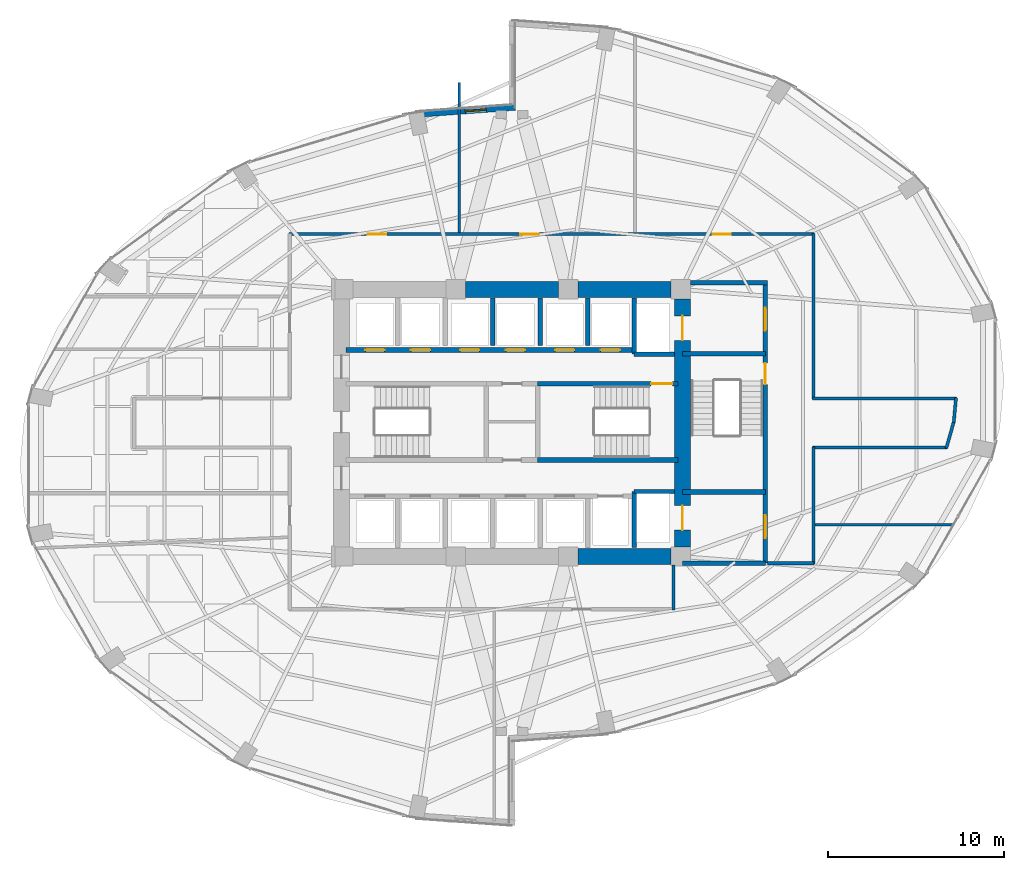
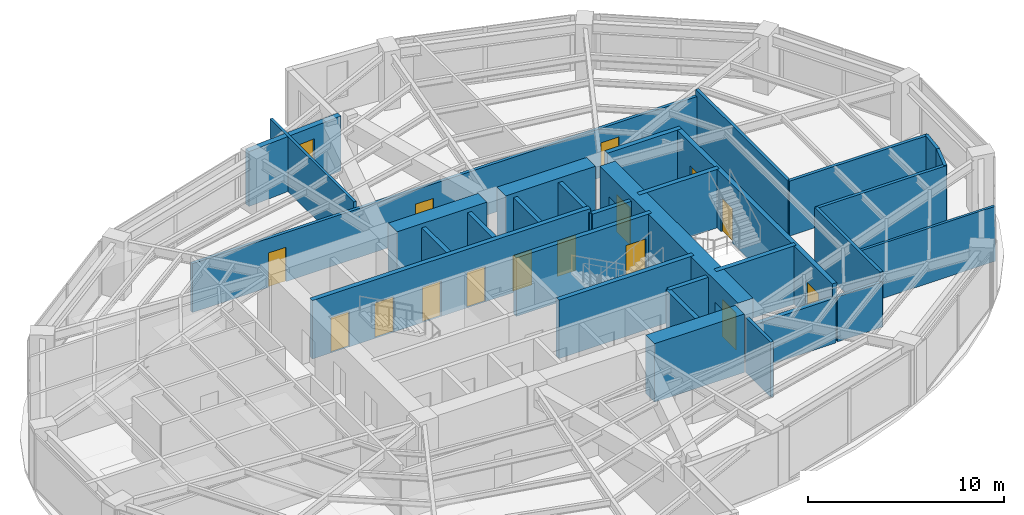
# One storey, part 21 of 24: 31 walls, 15 doors, 1 window, 16 openings.
"""IFC4 building model written with IfcOpenShell, lengths in metres."""

from ifc_helpers import new_model, si_unit, direction, frame, frame_2d, origin, place, context, subcontext, project, spatial, rectangle, extrude, material, layer, layer_set, type_object, element, fill, save


model = new_model("IFC4")

# Units and contexts
model_context = context("Model", 3, precision=1e-05, world=origin(), true_north=direction((0.0, 1.0)))
body_context = subcontext(model_context, "Body", "Model", "MODEL_VIEW")
ifc_project = project(units=[si_unit("LENGTHUNIT", "METRE"), si_unit("AREAUNIT", "SQUARE_METRE"), si_unit("VOLUMEUNIT", "CUBIC_METRE"), si_unit("PLANEANGLEUNIT", "RADIAN"), si_unit("MASSUNIT", "GRAM", prefix="KILO")], contexts=[model_context])

# Site, building, storey
site_placement = place(None, origin())
site = spatial("IfcSite", under=ifc_project, at=site_placement, CompositionType="ELEMENT")
building_placement = place(site_placement, origin())
building = spatial("IfcBuilding", under=site, at=building_placement, Name="Lazwardi Medical Tower", CompositionType="ELEMENT")
storey_placement = place(building_placement, frame((0.0, 0.0, 36.14404296875)))
storey = spatial("IfcBuildingStorey", under=building, at=storey_placement, Name="L08", CompositionType="ELEMENT", Elevation=36.14404296875)

# Wall, openings, doors
ifc_material_1 = material(Name="Fire-rated gypsum board on steel stud", Category="steel")
ifc_layer_1 = layer(ifc_material_1, 0.179931640625)
ifc_layer_set_1 = layer_set([ifc_layer_1], Name="Fire-rated gypsum board on steel stud")
wall_type_1 = type_object("IfcWallType", Name="WL-COR-180", PredefinedType="PARTITIONING", material=ifc_layer_set_1)
wall_1_placement = place(storey_placement, frame((23.31005859375, 38.75, 0.0), z_axis=(0.0, 0.0, 1.0), x_axis=(1.0, 0.0, 0.0)))
wall_1 = element("IfcWall", 1, at=wall_1_placement, inside=storey, type_object=wall_type_1, Name="L08 Corridor partition 4", PredefinedType="PARTITIONING", context=body_context, shape_type="SweptSolid", body=[
    extrude(rectangle(XDim=29.8798828125, YDim=0.179931640625, at=frame_2d((14.93994140625, 0.0))), origin(), (0.0, 0.0, 1.0), 3.052978515625),
])
opening_1_placement = place(wall_1_placement, frame((24.10107421875, 0.0, 0.0)))
opening_1 = element("IfcOpeningElement", 2, at=opening_1_placement, cuts=wall_1, Name="Opening D-L08-010", PredefinedType="OPENING", context=body_context, shape_type="SweptSolid", body=[
    extrude(rectangle(XDim=1.050048828125, YDim=2.14990234375, at=frame_2d((0.52490234375, 1.074951171875))), frame((0.0, 0.099853515625, 0.0), z_axis=(0.0, -1.0, 0.0), x_axis=(1.0, 0.0, 0.0)), (0.0, 0.0, 1.0), 0.199951171875),
])
opening_2_placement = place(wall_1_placement, frame((13.1650390625, 0.0, 0.0)))
opening_2 = element("IfcOpeningElement", 3, at=opening_2_placement, cuts=wall_1, Name="Opening D-L08-011", PredefinedType="OPENING", context=body_context, shape_type="SweptSolid", body=[
    extrude(rectangle(XDim=1.050048828125, YDim=2.14990234375, at=frame_2d((0.52490234375, 1.074951171875))), frame((0.0, 0.099853515625, 0.0), z_axis=(0.0, -1.0, 0.0), x_axis=(1.0, 0.0, 0.0)), (0.0, 0.0, 1.0), 0.199951171875),
])
opening_3_placement = place(wall_1_placement, frame((4.47900390625, 0.0, 0.0)))
opening_3 = element("IfcOpeningElement", 4, at=opening_3_placement, cuts=wall_1, Name="Opening D-L08-012", PredefinedType="OPENING", context=body_context, shape_type="SweptSolid", body=[
    extrude(rectangle(XDim=1.050048828125, YDim=2.14990234375, at=frame_2d((0.52490234375, 1.074951171875))), frame((0.0, 0.099853515625, 0.0), z_axis=(0.0, -1.0, 0.0), x_axis=(1.0, 0.0, 0.0)), (0.0, 0.0, 1.0), 0.199951171875),
])
ifc_material_2 = material(Name="Anti-microbial laminate hospital leaf")
door_type_1 = type_object("IfcDoorType", Name="DR-CLN-1050", OperationType="NOTDEFINED", PredefinedType="DOOR", material=ifc_material_2)
door_1_placement = place(opening_1_placement, origin())
door_1 = element("IfcDoor", 5, at=door_1_placement, inside=storey, type_object=door_type_1, Name="L08 Ward Dietetic Pantry Door 04", OperationType="SINGLE_SWING_RIGHT", OverallHeight=2.14990234375, OverallWidth=1.050048828125, PredefinedType="DOOR", context=body_context, shape_type="SweptSolid", body=[
    extrude(rectangle(XDim=1.050048828125, YDim=2.14990234375, at=frame_2d((0.52490234375, 1.074951171875))), frame((0.0, 0.02490234375, 0.0), z_axis=(0.0, -1.0, 0.0), x_axis=(1.0, 0.0, 0.0)), (0.0, 0.0, 1.0), 0.050048828125),
])
fill(opening_1, door_1)
door_2_placement = place(opening_2_placement, origin())
door_2 = element("IfcDoor", 6, at=door_2_placement, inside=storey, type_object=door_type_1, Name="L08 Outpatient Clinic Door 05", OperationType="SINGLE_SWING_LEFT", OverallHeight=2.14990234375, OverallWidth=1.050048828125, PredefinedType="DOOR", context=body_context, shape_type="SweptSolid", body=[
    extrude(rectangle(XDim=1.050048828125, YDim=2.14990234375, at=frame_2d((0.52490234375, 1.074951171875))), frame((0.0, 0.02490234375, 0.0), z_axis=(0.0, -1.0, 0.0), x_axis=(1.0, 0.0, 0.0)), (0.0, 0.0, 1.0), 0.050048828125),
])
fill(opening_2, door_2)
door_3_placement = place(opening_3_placement, origin())
door_3 = element("IfcDoor", 7, at=door_3_placement, inside=storey, type_object=door_type_1, Name="L08 Outpatient Clinic Door 06", OperationType="SINGLE_SWING_RIGHT", OverallHeight=2.14990234375, OverallWidth=1.050048828125, PredefinedType="DOOR", context=body_context, shape_type="SweptSolid", body=[
    extrude(rectangle(XDim=1.050048828125, YDim=2.14990234375, at=frame_2d((0.52490234375, 1.074951171875))), frame((0.0, 0.02490234375, 0.0), z_axis=(0.0, -1.0, 0.0), x_axis=(1.0, 0.0, 0.0)), (0.0, 0.0, 1.0), 0.050048828125),
])
fill(opening_3, door_3)

# Walls
wall_2_placement = place(storey_placement, frame((53.14990234375, 38.7900390625, 0.0), z_axis=(0.0, 0.0, 1.0), x_axis=(0.0, -1.0, 0.0)))
element("IfcWall", 8, at=wall_2_placement, inside=storey, type_object=wall_type_1, Name="L08 Corridor partition 5", PredefinedType="PARTITIONING", context=body_context, shape_type="SweptSolid", body=[
    extrude(rectangle(XDim=9.429931640625, YDim=0.179931640625, at=frame_2d((4.71484375, 0.0))), origin(), (0.0, 0.0, 1.0), 3.427978515625),
])
wall_3_placement = place(storey_placement, frame((53.110107421875, 29.39990234375, 0.0), z_axis=(0.0, 0.0, 1.0), x_axis=(1.0, 0.0, 0.0)))
element("IfcWall", 9, at=wall_3_placement, inside=storey, type_object=wall_type_1, Name="L08 Corridor partition 6", PredefinedType="PARTITIONING", context=body_context, shape_type="SweptSolid", body=[
    extrude(rectangle(XDim=8.19677734375, YDim=0.179931640625, at=frame_2d((4.098388671875, 0.0))), origin(), (0.0, 0.0, 1.0), 3.427978515625),
])
wall_4_placement = place(storey_placement, frame((61.2705078125, 29.439697265625, 0.0), z_axis=(0.0, 0.0, 1.0), x_axis=(-0.092539930621, -0.995708974169, 0.0)))
element("IfcWall", 10, at=wall_4_placement, inside=storey, type_object=wall_type_1, Name="L08 Corridor partition 7", PredefinedType="PARTITIONING", context=body_context, shape_type="SweptSolid", body=[
    extrude(rectangle(XDim=1.416748046875, YDim=0.179931640625, at=frame_2d((0.70849609375, 0.0))), origin(), (0.0, 0.0, 1.0), 3.427978515625),
])
wall_5_placement = place(storey_placement, frame((61.15380859375, 28.107421875, 0.0), z_axis=(0.0, 0.0, 1.0), x_axis=(-0.271748942561, -0.962368179138, 0.0)))
element("IfcWall", 11, at=wall_5_placement, inside=storey, type_object=wall_type_1, Name="L08 Corridor partition 8", PredefinedType="PARTITIONING", context=body_context, shape_type="SweptSolid", body=[
    extrude(rectangle(XDim=1.6064453125, YDim=0.179931640625, at=frame_2d((0.80322265625, 0.0))), origin(), (0.0, 0.0, 1.0), 3.427978515625),
])
wall_6_placement = place(storey_placement, frame((60.768310546875, 26.60009765625, 0.0), z_axis=(0.0, 0.0, 1.0), x_axis=(-1.0, 0.0, 0.0)))
element("IfcWall", 12, at=wall_6_placement, inside=storey, type_object=wall_type_1, Name="L08 Corridor partition 9", PredefinedType="PARTITIONING", context=body_context, shape_type="SweptSolid", body=[
    extrude(rectangle(XDim=7.658203125, YDim=0.179931640625, at=frame_2d((3.8291015625, 0.0))), origin(), (0.0, 0.0, 1.0), 3.427978515625),
])
wall_7_placement = place(storey_placement, frame((53.14990234375, 26.639892578125, 0.0), z_axis=(0.0, 0.0, 1.0), x_axis=(0.0, -1.0, 0.0)))
element("IfcWall", 13, at=wall_7_placement, inside=storey, type_object=wall_type_1, Name="L08 Corridor partition 10", PredefinedType="PARTITIONING", context=body_context, shape_type="SweptSolid", body=[
    extrude(rectangle(XDim=6.659912109375, YDim=0.179931640625, at=frame_2d((3.330078125, 0.0))), origin(), (0.0, 0.0, 1.0), 3.427978515625),
])
wall_8_placement = place(storey_placement, frame((53.18994140625, 20.02001953125, 0.0), z_axis=(0.0, 0.0, 1.0), x_axis=(-1.0, 0.0, 0.0)))
element("IfcWall", 14, at=wall_8_placement, inside=storey, type_object=wall_type_1, Name="L08 Corridor partition 11", PredefinedType="PARTITIONING", context=body_context, shape_type="SweptSolid", body=[
    extrude(rectangle(XDim=2.64990234375, YDim=0.179931640625, at=frame_2d((1.324951171875, 0.0))), origin(), (0.0, 0.0, 1.0), 2.81298828125),
])
wall_9_placement = place(storey_placement, frame((45.199951171875, 19.909912109375, 0.0), z_axis=(0.0, 0.0, 1.0), x_axis=(0.0, -1.0, 0.0)))
element("IfcWall", 15, at=wall_9_placement, inside=storey, type_object=wall_type_1, Name="L08 Corridor partition 14", PredefinedType="PARTITIONING", context=body_context, shape_type="SweptSolid", body=[
    extrude(rectangle(XDim=2.5498046875, YDim=0.179931640625, at=frame_2d((1.27490234375, 0.0))), origin(), (0.0, 0.0, 1.0), 3.427978515625),
])

# Wall, openings, doors
ifc_material_3 = material(Name="Concrete C80/95", Category="concrete")
ifc_layer_2 = layer(ifc_material_3, 0.89990234375)
ifc_layer_set_2 = layer_set([ifc_layer_2], Name="Concrete C80/95")
wall_type_2 = type_object("IfcWallType", Name="WL-CORE-900", PredefinedType="SHEAR", material=ifc_layer_set_2)
wall_10_placement = place(storey_placement, frame((45.699951171875, 20.949951171875, 0.0), z_axis=(0.0, 0.0, 1.0), x_axis=(0.0, 1.0, 0.0)))
wall_10 = element("IfcWall", 16, at=wall_10_placement, inside=storey, type_object=wall_type_2, Name="Core wall CW-S1 east L08", PredefinedType="SHEAR", context=body_context, shape_type="SweptSolid", body=[
    extrude(rectangle(XDim=14.10009765625, YDim=0.89990234375, at=frame_2d((7.050048828125, 0.0))), origin(), (0.0, 0.0, 1.0), 3.64794921875),
])
opening_4_placement = place(wall_10_placement, frame((11.75, 0.0, 0.0)))
opening_4 = element("IfcOpeningElement", 17, at=opening_4_placement, cuts=wall_10, Name="Opening LD-L08-001", PredefinedType="OPENING", context=body_context, shape_type="SweptSolid", body=[
    extrude(rectangle(XDim=1.39990234375, YDim=2.300048828125, at=frame_2d((0.699951171875, 1.14990234375))), frame((0.0, 0.4599609375, 0.0), z_axis=(0.0, -1.0, 0.0), x_axis=(1.0, 0.0, 0.0)), (0.0, 0.0, 1.0), 0.919921875),
])
opening_5_placement = place(wall_10_placement, frame((0.949951171875, 0.0, 0.0)))
opening_5 = element("IfcOpeningElement", 18, at=opening_5_placement, cuts=wall_10, Name="Opening LD-L08-002", PredefinedType="OPENING", context=body_context, shape_type="SweptSolid", body=[
    extrude(rectangle(XDim=1.39990234375, YDim=2.300048828125, at=frame_2d((0.699951171875, 1.14990234375))), frame((0.0, 0.4599609375, 0.0), z_axis=(0.0, -1.0, 0.0), x_axis=(1.0, 0.0, 0.0)), (0.0, 0.0, 1.0), 0.919921875),
])
ifc_material_4 = material(Name="Brushed stainless steel bed-lift landing door", Category="steel")
door_type_2 = type_object("IfcDoorType", Name="DR-LFT-1400", OperationType="NOTDEFINED", PredefinedType="DOOR", material=ifc_material_4)
door_4_placement = place(opening_4_placement, origin())
door_4 = element("IfcDoor", 19, at=door_4_placement, inside=storey, type_object=door_type_2, Name="L08 Lift Landing Door FL-01", OperationType="SLIDING_TO_LEFT", OverallHeight=2.300048828125, OverallWidth=1.39990234375, PredefinedType="DOOR", context=body_context, shape_type="SweptSolid", body=[
    extrude(rectangle(XDim=1.39990234375, YDim=2.300048828125, at=frame_2d((0.699951171875, 1.14990234375))), frame((0.0, 0.02490234375, 0.0), z_axis=(0.0, -1.0, 0.0), x_axis=(1.0, 0.0, 0.0)), (0.0, 0.0, 1.0), 0.050048828125),
])
fill(opening_4, door_4)
door_5_placement = place(opening_5_placement, origin())
door_5 = element("IfcDoor", 20, at=door_5_placement, inside=storey, type_object=door_type_2, Name="L08 Lift Landing Door FL-02", OperationType="SLIDING_TO_LEFT", OverallHeight=2.300048828125, OverallWidth=1.39990234375, PredefinedType="DOOR", context=body_context, shape_type="SweptSolid", body=[
    extrude(rectangle(XDim=1.39990234375, YDim=2.300048828125, at=frame_2d((0.699951171875, 1.14990234375))), frame((0.0, 0.02490234375, 0.0), z_axis=(0.0, -1.0, 0.0), x_axis=(1.0, 0.0, 0.0)), (0.0, 0.0, 1.0), 0.050048828125),
])
fill(opening_5, door_5)

# Walls
wall_11_placement = place(storey_placement, frame((33.35009765625, 35.60009765625, 0.0), z_axis=(0.0, 0.0, 1.0), x_axis=(1.0, 0.0, 0.0)))
element("IfcWall", 21, at=wall_11_placement, inside=storey, type_object=wall_type_2, Name="Core wall CW-S1 N2 L08", PredefinedType="SHEAR", context=body_context, shape_type="SweptSolid", body=[
    extrude(rectangle(XDim=5.2998046875, YDim=0.89990234375, at=frame_2d((2.64990234375, 0.0))), origin(), (0.0, 0.0, 1.0), 3.64794921875),
])
for number, where, z_axis, x_axis, name in (
    (22, (39.75, 20.39990234375, 0.0), (0.0, 0.0, 1.0), (1.0, 0.0, 0.0), "Core wall CW-S1 S3 L08"),
    (23, (39.75, 35.60009765625, 0.0), (0.0, 0.0, 1.0), (1.0, 0.0, 0.0), "Core wall CW-S1 N3 L08"),
):
    element("IfcWall", number, at=place(storey_placement, frame(where, z_axis=z_axis, x_axis=x_axis)), inside=storey, type_object=wall_type_2, Name=name, PredefinedType="SHEAR", context=body_context, shape_type="SweptSolid", body=[
        extrude(rectangle(XDim=5.300048828125, YDim=0.89990234375, at=frame_2d((2.64990234375, 0.0))), origin(), (0.0, 0.0, 1.0), 3.64794921875),
    ])

# Wall, opening, window
ifc_material_5 = material(Name="Precast concrete C45/55", Category="concrete")
ifc_layer_3 = layer(ifc_material_5, 0.320068359375)
ifc_layer_set_3 = layer_set([ifc_layer_3], Name="Precast concrete C45/55")
wall_type_3 = type_object("IfcWallType", Name="WL-IWAN-320", PredefinedType="SOLIDWALL", material=ifc_layer_set_3)
wall_12_placement = place(storey_placement, frame((36.178955078125, 45.952880859375, 0.0), z_axis=(0.0, 0.0, 1.0), x_axis=(-0.997421878774, -0.071760683825, 0.0)))
wall_12 = element("IfcWall", 24, at=wall_12_placement, inside=storey, type_object=wall_type_3, Name="L08 Iwan Portal Return Wall NW_ret", PredefinedType="SOLIDWALL", context=body_context, shape_type="SweptSolid", body=[
    extrude(rectangle(XDim=5.6748046875, YDim=0.320068359375, at=frame_2d((2.83740234375, 0.0))), origin(), (0.0, 0.0, 1.0), 3.427978515625),
])
opening_6_placement = place(wall_12_placement, frame((1.64599609375, 0.0, 0.85009765625)))
opening_6 = element("IfcOpeningElement", 25, at=opening_6_placement, cuts=wall_12, Name="Opening WN-04", PredefinedType="OPENING", context=body_context, shape_type="SweptSolid", body=[
    extrude(rectangle(XDim=1.199951171875, YDim=1.800048828125, at=frame_2d((0.60009765625, 0.89990234375))), frame((0.0, 0.169921875, 0.0), z_axis=(0.0, -1.0, 0.0), x_axis=(1.0, 0.0, 0.0)), (0.0, 0.0, 1.0), 0.340087890625),
])
ifc_material_6 = material(Name="Low-e bronze solar control double glazing", Category="glass")
window_type = type_object("IfcWindowType", Name="WIN-DRUM-1200", PartitioningType="SINGLE_PANEL", PredefinedType="WINDOW", material=ifc_material_6)
window_placement = place(opening_6_placement, origin())
window = element("IfcWindow", 26, at=window_placement, inside=storey, type_object=window_type, Name="L08 Iwan Slot Window NW_ret", OverallHeight=1.800048828125, OverallWidth=1.199951171875, PartitioningType="SINGLE_PANEL", PredefinedType="WINDOW", context=body_context, shape_type="SweptSolid", body=[
    extrude(rectangle(XDim=1.199951171875, YDim=1.800048828125, at=frame_2d((0.60009765625, 0.89990234375))), frame((0.0, 0.030029296875, 0.0), z_axis=(0.0, -1.0, 0.0), x_axis=(1.0, 0.0, 0.0)), (0.0, 0.0, 1.0), 0.06005859375),
])
fill(opening_6, window)

# Walls
ifc_material_7 = material(Name="Autoclaved aerated concrete blockwork", Category="masonry")
ifc_layer_4 = layer(ifc_material_7, 0.25)
ifc_layer_set_4 = layer_set([ifc_layer_4], Name="Autoclaved aerated concrete blockwork")
wall_type_4 = type_object("IfcWallType", Name="WL-SHAFT-250", PredefinedType="SOLIDWALL", material=ifc_layer_set_4)
wall_13_placement = place(storey_placement, frame((42.949951171875, 31.919921875, 0.0), z_axis=(0.0, 0.0, 1.0), x_axis=(0.0, 1.0, 0.0)))
element("IfcWall", 27, at=wall_13_placement, inside=storey, type_object=wall_type_4, Name="L08 FL-01 West shaft wall", PredefinedType="SOLIDWALL", context=body_context, shape_type="SweptSolid", body=[
    extrude(rectangle(XDim=3.18017578125, YDim=0.25, at=frame_2d((1.590087890625, 0.0))), origin(), (0.0, 0.0, 1.0), 3.427978515625),
])
wall_14_placement = place(storey_placement, frame((42.949951171875, 31.919921875, 0.0), z_axis=(0.0, 0.0, 1.0), x_axis=(1.0, 0.0, 0.0)))
element("IfcWall", 28, at=wall_14_placement, inside=storey, type_object=wall_type_4, Name="L08 FL-01 South shaft wall", PredefinedType="SOLIDWALL", context=body_context, shape_type="SweptSolid", body=[
    extrude(rectangle(XDim=2.300048828125, YDim=0.25, at=frame_2d((1.14990234375, 0.0))), origin(), (0.0, 0.0, 1.0), 3.427978515625),
])
wall_15_placement = place(storey_placement, frame((42.949951171875, 20.89990234375, 0.0), z_axis=(0.0, 0.0, 1.0), x_axis=(0.0, 1.0, 0.0)))
element("IfcWall", 29, at=wall_15_placement, inside=storey, type_object=wall_type_4, Name="L08 FL-02 West shaft wall", PredefinedType="SOLIDWALL", context=body_context, shape_type="SweptSolid", body=[
    extrude(rectangle(XDim=3.2001953125, YDim=0.25, at=frame_2d((1.60009765625, 0.0))), origin(), (0.0, 0.0, 1.0), 3.427978515625),
])
wall_16_placement = place(storey_placement, frame((42.949951171875, 24.10009765625, 0.0), z_axis=(0.0, 0.0, 1.0), x_axis=(1.0, 0.0, 0.0)))
element("IfcWall", 30, at=wall_16_placement, inside=storey, type_object=wall_type_4, Name="L08 FL-02 North shaft wall", PredefinedType="SOLIDWALL", context=body_context, shape_type="SweptSolid", body=[
    extrude(rectangle(XDim=2.300048828125, YDim=0.25, at=frame_2d((1.14990234375, 0.0))), origin(), (0.0, 0.0, 1.0), 3.427978515625),
])
for number, where, z_axis, x_axis, name in (
    (31, (34.89990234375, 32.419921875, 0.0), (0.0, 0.0, 1.0), (0.0, 1.0, 0.0), "L08 North hoistway divider"),
    (32, (37.60009765625, 32.419921875, 0.0), (0.0, 0.0, 1.0), (0.0, 1.0, 0.0), "L08 North hoistway divider"),
    (33, (40.300048828125, 32.419921875, 0.0), (0.0, 0.0, 1.0), (0.0, 1.0, 0.0), "L08 North hoistway divider"),
):
    element("IfcWall", number, at=place(storey_placement, frame(where, z_axis=z_axis, x_axis=x_axis)), inside=storey, type_object=wall_type_4, Name=name, PredefinedType="SOLIDWALL", context=body_context, shape_type="SweptSolid", body=[
        extrude(rectangle(XDim=2.68017578125, YDim=0.25, at=frame_2d((1.340087890625, 0.0))), origin(), (0.0, 0.0, 1.0), 3.427978515625),
    ])
wall_17_placement = place(storey_placement, frame((45.699951171875, 20.02001953125, 0.0), z_axis=(0.0, 0.0, 1.0), x_axis=(1.0, 0.0, 0.0)))
element("IfcWall", 34, at=wall_17_placement, inside=storey, type_object=wall_type_4, Name="L08 FFL-S South wall", PredefinedType="SOLIDWALL", context=body_context, shape_type="SweptSolid", body=[
    extrude(rectangle(XDim=4.715087890625, YDim=0.25, at=frame_2d((2.357421875, 0.0))), origin(), (0.0, 0.0, 1.0), 2.81298828125),
])

# Wall, opening, door
ifc_material_8 = material(Name="Concrete C50/60", Category="concrete")
ifc_layer_5 = layer(ifc_material_8, 0.27001953125)
ifc_layer_set_5 = layer_set([ifc_layer_5], Name="Concrete C50/60")
wall_type_5 = type_object("IfcWallType", Name="WL-STR-250", PredefinedType="SHEAR", material=ifc_layer_set_5)
wall_18_placement = place(storey_placement, frame((37.465087890625, 30.235107421875, 0.0), z_axis=(0.0, 0.0, 1.0), x_axis=(1.0, 0.0, 0.0)))
wall_18 = element("IfcWall", 35, at=wall_18_placement, inside=storey, type_object=wall_type_5, Name="L08 ST2 North shear shaft wall SW-S1", PredefinedType="SHEAR", context=body_context, shape_type="SweptSolid", body=[
    extrude(rectangle(XDim=7.98486328125, YDim=0.27001953125, at=frame_2d((3.992431640625, 0.0))), origin(), (0.0, 0.0, 1.0), 3.64794921875),
])
opening_7_placement = place(wall_18_placement, frame((6.455078125, 0.0, 0.0)))
opening_7 = element("IfcOpeningElement", 36, at=opening_7_placement, cuts=wall_18, Name="Opening D-L08-016", PredefinedType="OPENING", context=body_context, shape_type="SweptSolid", body=[
    extrude(rectangle(XDim=1.199951171875, YDim=2.14990234375, at=frame_2d((0.60009765625, 1.074951171875))), frame((0.0, 0.14501953125, 0.0), z_axis=(0.0, -1.0, 0.0), x_axis=(1.0, 0.0, 0.0)), (0.0, 0.0, 1.0), 0.2900390625),
])
ifc_material_9 = material(Name="Fire-rated steel leaf and frame", Category="steel")
door_type_3 = type_object("IfcDoorType", Name="DR-STR-1200", OperationType="NOTDEFINED", PredefinedType="DOOR", material=ifc_material_9)
door_6_placement = place(opening_7_placement, origin())
door_6 = element("IfcDoor", 37, at=door_6_placement, inside=storey, type_object=door_type_3, Name="L08 Exit Stair ST2 Door", OperationType="SINGLE_SWING_LEFT", OverallHeight=2.14990234375, OverallWidth=1.199951171875, PredefinedType="DOOR", context=body_context, shape_type="SweptSolid", body=[
    extrude(rectangle(XDim=1.199951171875, YDim=2.14990234375, at=frame_2d((0.60009765625, 1.074951171875))), frame((0.0, 0.02490234375, 0.0), z_axis=(0.0, -1.0, 0.0), x_axis=(1.0, 0.0, 0.0)), (0.0, 0.0, 1.0), 0.050048828125),
])
fill(opening_7, door_6)

# Wall
wall_19_placement = place(storey_placement, frame((37.465087890625, 25.885009765625, 0.0), z_axis=(0.0, 0.0, 1.0), x_axis=(1.0, 0.0, 0.0)))
element("IfcWall", 38, at=wall_19_placement, inside=storey, type_object=wall_type_5, Name="L08 ST2 South shear shaft wall SW-S1", PredefinedType="SHEAR", context=body_context, shape_type="SweptSolid", body=[
    extrude(rectangle(XDim=7.98486328125, YDim=0.27001953125, at=frame_2d((3.992431640625, 0.0))), origin(), (0.0, 0.0, 1.0), 3.64794921875),
])

# Wall, openings, doors
wall_20_placement = place(storey_placement, frame((26.550048828125, 32.14990234375, 0.0), z_axis=(0.0, 0.0, 1.0), x_axis=(1.0, 0.0, 0.0)))
wall_20 = element("IfcWall", 39, at=wall_20_placement, inside=storey, type_object=wall_type_5, Name="L08 North lift bank shear wall SW-S1", PredefinedType="SHEAR", context=body_context, shape_type="SweptSolid", body=[
    extrude(rectangle(XDim=16.39990234375, YDim=0.27001953125, at=frame_2d((8.199951171875, 0.0))), origin(), (0.0, 0.0, 1.0), 3.64794921875),
])
opening_8_placement = place(wall_20_placement, frame((1.10009765625, 0.0, 0.0)))
opening_8 = element("IfcOpeningElement", 40, at=opening_8_placement, cuts=wall_20, Name="Opening LD-L08-004", PredefinedType="OPENING", context=body_context, shape_type="SweptSolid", body=[
    extrude(rectangle(XDim=1.10009765625, YDim=2.199951171875, at=frame_2d((0.550048828125, 1.10009765625))), frame((0.0, 0.14501953125, 0.0), z_axis=(0.0, -1.0, 0.0), x_axis=(1.0, 0.0, 0.0)), (0.0, 0.0, 1.0), 0.2900390625),
])
opening_9_placement = place(wall_20_placement, frame((3.699951171875, 0.0, 0.0)))
opening_9 = element("IfcOpeningElement", 41, at=opening_9_placement, cuts=wall_20, Name="Opening LD-L08-005", PredefinedType="OPENING", context=body_context, shape_type="SweptSolid", body=[
    extrude(rectangle(XDim=1.10009765625, YDim=2.199951171875, at=frame_2d((0.550048828125, 1.10009765625))), frame((0.0, 0.14501953125, 0.0), z_axis=(0.0, -1.0, 0.0), x_axis=(1.0, 0.0, 0.0)), (0.0, 0.0, 1.0), 0.2900390625),
])
opening_10_placement = place(wall_20_placement, frame((6.5, 0.0, 0.0)))
opening_10 = element("IfcOpeningElement", 42, at=opening_10_placement, cuts=wall_20, Name="Opening LD-L08-008", PredefinedType="OPENING", context=body_context, shape_type="SweptSolid", body=[
    extrude(rectangle(XDim=1.10009765625, YDim=2.199951171875, at=frame_2d((0.550048828125, 1.10009765625))), frame((0.0, 0.14501953125, 0.0), z_axis=(0.0, -1.0, 0.0), x_axis=(1.0, 0.0, 0.0)), (0.0, 0.0, 1.0), 0.2900390625),
])
opening_11_placement = place(wall_20_placement, frame((9.10009765625, 0.0, 0.0)))
opening_11 = element("IfcOpeningElement", 43, at=opening_11_placement, cuts=wall_20, Name="Opening LD-L08-009", PredefinedType="OPENING", context=body_context, shape_type="SweptSolid", body=[
    extrude(rectangle(XDim=1.10009765625, YDim=2.199951171875, at=frame_2d((0.550048828125, 1.10009765625))), frame((0.0, 0.14501953125, 0.0), z_axis=(0.0, -1.0, 0.0), x_axis=(1.0, 0.0, 0.0)), (0.0, 0.0, 1.0), 0.2900390625),
])
opening_12_placement = place(wall_20_placement, frame((11.89990234375, 0.0, 0.0)))
opening_12 = element("IfcOpeningElement", 44, at=opening_12_placement, cuts=wall_20, Name="Opening LD-L08-012", PredefinedType="OPENING", context=body_context, shape_type="SweptSolid", body=[
    extrude(rectangle(XDim=1.10009765625, YDim=2.199951171875, at=frame_2d((0.550048828125, 1.10009765625))), frame((0.0, 0.14501953125, 0.0), z_axis=(0.0, -1.0, 0.0), x_axis=(1.0, 0.0, 0.0)), (0.0, 0.0, 1.0), 0.2900390625),
])
opening_13_placement = place(wall_20_placement, frame((14.5, 0.0, 0.0)))
opening_13 = element("IfcOpeningElement", 45, at=opening_13_placement, cuts=wall_20, Name="Opening LD-L08-013", PredefinedType="OPENING", context=body_context, shape_type="SweptSolid", body=[
    extrude(rectangle(XDim=1.10009765625, YDim=2.199951171875, at=frame_2d((0.550048828125, 1.10009765625))), frame((0.0, 0.14501953125, 0.0), z_axis=(0.0, -1.0, 0.0), x_axis=(1.0, 0.0, 0.0)), (0.0, 0.0, 1.0), 0.2900390625),
])
ifc_material_10 = material(Name="Brushed bronze stainless steel landing door", Category="steel")
door_type_4 = type_object("IfcDoorType", Name="DR-LFT-1100", OperationType="NOTDEFINED", PredefinedType="DOOR", material=ifc_material_10)
door_7_placement = place(opening_8_placement, origin())
door_7 = element("IfcDoor", 46, at=door_7_placement, inside=storey, type_object=door_type_4, Name="L08 Lift Landing Door PL-01", OperationType="SLIDING_TO_LEFT", OverallHeight=2.199951171875, OverallWidth=1.10009765625, PredefinedType="DOOR", context=body_context, shape_type="SweptSolid", body=[
    extrude(rectangle(XDim=1.10009765625, YDim=2.199951171875, at=frame_2d((0.550048828125, 1.10009765625))), frame((0.0, 0.02490234375, 0.0), z_axis=(0.0, -1.0, 0.0), x_axis=(1.0, 0.0, 0.0)), (0.0, 0.0, 1.0), 0.050048828125),
])
fill(opening_8, door_7)
door_8_placement = place(opening_9_placement, origin())
door_8 = element("IfcDoor", 47, at=door_8_placement, inside=storey, type_object=door_type_4, Name="L08 Lift Landing Door PL-02", OperationType="SLIDING_TO_LEFT", OverallHeight=2.199951171875, OverallWidth=1.10009765625, PredefinedType="DOOR", context=body_context, shape_type="SweptSolid", body=[
    extrude(rectangle(XDim=1.10009765625, YDim=2.199951171875, at=frame_2d((0.550048828125, 1.10009765625))), frame((0.0, 0.02490234375, 0.0), z_axis=(0.0, -1.0, 0.0), x_axis=(1.0, 0.0, 0.0)), (0.0, 0.0, 1.0), 0.050048828125),
])
fill(opening_9, door_8)
door_9_placement = place(opening_10_placement, origin())
door_9 = element("IfcDoor", 48, at=door_9_placement, inside=storey, type_object=door_type_4, Name="L08 Lift Landing Door PL-05", OperationType="SLIDING_TO_LEFT", OverallHeight=2.199951171875, OverallWidth=1.10009765625, PredefinedType="DOOR", context=body_context, shape_type="SweptSolid", body=[
    extrude(rectangle(XDim=1.10009765625, YDim=2.199951171875, at=frame_2d((0.550048828125, 1.10009765625))), frame((0.0, 0.02490234375, 0.0), z_axis=(0.0, -1.0, 0.0), x_axis=(1.0, 0.0, 0.0)), (0.0, 0.0, 1.0), 0.050048828125),
])
fill(opening_10, door_9)
door_10_placement = place(opening_11_placement, origin())
door_10 = element("IfcDoor", 49, at=door_10_placement, inside=storey, type_object=door_type_4, Name="L08 Lift Landing Door PL-06", OperationType="SLIDING_TO_LEFT", OverallHeight=2.199951171875, OverallWidth=1.10009765625, PredefinedType="DOOR", context=body_context, shape_type="SweptSolid", body=[
    extrude(rectangle(XDim=1.10009765625, YDim=2.199951171875, at=frame_2d((0.550048828125, 1.10009765625))), frame((0.0, 0.02490234375, 0.0), z_axis=(0.0, -1.0, 0.0), x_axis=(1.0, 0.0, 0.0)), (0.0, 0.0, 1.0), 0.050048828125),
])
fill(opening_11, door_10)
door_11_placement = place(opening_12_placement, origin())
door_11 = element("IfcDoor", 50, at=door_11_placement, inside=storey, type_object=door_type_4, Name="L08 Lift Landing Door PL-09", OperationType="SLIDING_TO_LEFT", OverallHeight=2.199951171875, OverallWidth=1.10009765625, PredefinedType="DOOR", context=body_context, shape_type="SweptSolid", body=[
    extrude(rectangle(XDim=1.10009765625, YDim=2.199951171875, at=frame_2d((0.550048828125, 1.10009765625))), frame((0.0, 0.02490234375, 0.0), z_axis=(0.0, -1.0, 0.0), x_axis=(1.0, 0.0, 0.0)), (0.0, 0.0, 1.0), 0.050048828125),
])
fill(opening_12, door_11)
door_12_placement = place(opening_13_placement, origin())
door_12 = element("IfcDoor", 51, at=door_12_placement, inside=storey, type_object=door_type_4, Name="L08 Lift Landing Door PL-10", OperationType="SLIDING_TO_LEFT", OverallHeight=2.199951171875, OverallWidth=1.10009765625, PredefinedType="DOOR", context=body_context, shape_type="SweptSolid", body=[
    extrude(rectangle(XDim=1.10009765625, YDim=2.199951171875, at=frame_2d((0.550048828125, 1.10009765625))), frame((0.0, 0.02490234375, 0.0), z_axis=(0.0, -1.0, 0.0), x_axis=(1.0, 0.0, 0.0)), (0.0, 0.0, 1.0), 0.050048828125),
])
fill(opening_13, door_12)

wall_21_placement = place(storey_placement, frame((50.4150390625, 35.844970703125, 0.0), z_axis=(0.0, 0.0, 1.0), x_axis=(0.0, -1.0, 0.0)))
wall_21 = element("IfcWall", 52, at=wall_21_placement, inside=storey, type_object=wall_type_5, Name="L08 East ST3 & FFL shear wall SW-S1", PredefinedType="SHEAR", context=body_context, shape_type="SweptSolid", body=[
    extrude(rectangle(XDim=15.824951171875, YDim=0.27001953125, at=frame_2d((7.91259765625, 0.0))), origin(), (0.0, 0.0, 1.0), 3.64794921875),
])
opening_14_placement = place(wall_21_placement, frame((4.445068359375, 0.0, 0.0)))
opening_14 = element("IfcOpeningElement", 53, at=opening_14_placement, cuts=wall_21, Name="Opening D-L08-017", PredefinedType="OPENING", context=body_context, shape_type="SweptSolid", body=[
    extrude(rectangle(XDim=1.199951171875, YDim=2.14990234375, at=frame_2d((0.60009765625, 1.074951171875))), frame((0.0, 0.14501953125, 0.0), z_axis=(0.0, -1.0, 0.0), x_axis=(1.0, 0.0, 0.0)), (0.0, 0.0, 1.0), 0.2900390625),
])
opening_15_placement = place(wall_21_placement, frame((1.294921875, 0.0, 0.0)))
opening_15 = element("IfcOpeningElement", 54, at=opening_15_placement, cuts=wall_21, Name="Opening D-L08-003", PredefinedType="OPENING", context=body_context, shape_type="SweptSolid", body=[
    extrude(rectangle(XDim=1.300048828125, YDim=2.199951171875, at=frame_2d((0.64990234375, 1.10009765625))), frame((0.0, 0.14501953125, 0.0), z_axis=(0.0, -1.0, 0.0), x_axis=(1.0, 0.0, 0.0)), (0.0, 0.0, 1.0), 0.2900390625),
])
opening_16_placement = place(wall_21_placement, frame((13.094970703125, 0.0, 0.0)))
opening_16 = element("IfcOpeningElement", 55, at=opening_16_placement, cuts=wall_21, Name="Opening D-L08-004", PredefinedType="OPENING", context=body_context, shape_type="SweptSolid", body=[
    extrude(rectangle(XDim=1.300048828125, YDim=2.199951171875, at=frame_2d((0.64990234375, 1.10009765625))), frame((0.0, 0.14501953125, 0.0), z_axis=(0.0, -1.0, 0.0), x_axis=(1.0, 0.0, 0.0)), (0.0, 0.0, 1.0), 0.2900390625),
])
door_type_5 = type_object("IfcDoorType", Name="DR-FFL-1300", OperationType="NOTDEFINED", PredefinedType="DOOR", material=ifc_material_9)
door_13_placement = place(opening_15_placement, origin())
door_13 = element("IfcDoor", 56, at=door_13_placement, inside=storey, type_object=door_type_5, Name="L08 Fire-Fighting Lobby North Door", OperationType="SINGLE_SWING_LEFT", OverallHeight=2.199951171875, OverallWidth=1.300048828125, PredefinedType="DOOR", context=body_context, shape_type="SweptSolid", body=[
    extrude(rectangle(XDim=1.300048828125, YDim=2.199951171875, at=frame_2d((0.64990234375, 1.10009765625))), frame((0.0, 0.02490234375, 0.0), z_axis=(0.0, -1.0, 0.0), x_axis=(1.0, 0.0, 0.0)), (0.0, 0.0, 1.0), 0.050048828125),
])
fill(opening_15, door_13)
door_14_placement = place(opening_16_placement, origin())
door_14 = element("IfcDoor", 57, at=door_14_placement, inside=storey, type_object=door_type_5, Name="L08 Fire-Fighting Lobby South Door", OperationType="SINGLE_SWING_RIGHT", OverallHeight=2.199951171875, OverallWidth=1.300048828125, PredefinedType="DOOR", context=body_context, shape_type="SweptSolid", body=[
    extrude(rectangle(XDim=1.300048828125, YDim=2.199951171875, at=frame_2d((0.64990234375, 1.10009765625))), frame((0.0, 0.02490234375, 0.0), z_axis=(0.0, -1.0, 0.0), x_axis=(1.0, 0.0, 0.0)), (0.0, 0.0, 1.0), 0.050048828125),
])
fill(opening_16, door_14)
door_15_placement = place(opening_14_placement, origin())
door_15 = element("IfcDoor", 58, at=door_15_placement, inside=storey, type_object=door_type_3, Name="L08 Exit Stair ST3 Door", OperationType="SINGLE_SWING_RIGHT", OverallHeight=2.14990234375, OverallWidth=1.199951171875, PredefinedType="DOOR", context=body_context, shape_type="SweptSolid", body=[
    extrude(rectangle(XDim=1.199951171875, YDim=2.14990234375, at=frame_2d((0.60009765625, 1.074951171875))), frame((0.0, 0.02490234375, 0.0), z_axis=(0.0, -1.0, 0.0), x_axis=(1.0, 0.0, 0.0)), (0.0, 0.0, 1.0), 0.050048828125),
])
fill(opening_14, door_15)

# Walls
wall_22_placement = place(storey_placement, frame((46.14990234375, 35.97998046875, 0.0), z_axis=(0.0, 0.0, 1.0), x_axis=(1.0, 0.0, 0.0)))
element("IfcWall", 59, at=wall_22_placement, inside=storey, type_object=wall_type_5, Name="L08 FFL-N North shear wall SW-S1", PredefinedType="SHEAR", context=body_context, shape_type="SweptSolid", body=[
    extrude(rectangle(XDim=4.400146484375, YDim=0.27001953125, at=frame_2d((2.2001953125, 0.0))), origin(), (0.0, 0.0, 1.0), 3.64794921875),
])
for number, where, z_axis, x_axis, name in (
    (60, (45.699951171875, 31.93505859375, 0.0), (0.0, 0.0, 1.0), (1.0, 0.0, 0.0), "L08 ST3 North shear shaft wall SW-S1"),
    (61, (45.699951171875, 24.06494140625, 0.0), (0.0, 0.0, 1.0), (1.0, 0.0, 0.0), "L08 ST3 South shear shaft wall SW-S1"),
):
    element("IfcWall", number, at=place(storey_placement, frame(where, z_axis=z_axis, x_axis=x_axis)), inside=storey, type_object=wall_type_5, Name=name, PredefinedType="SHEAR", context=body_context, shape_type="SweptSolid", body=[
        extrude(rectangle(XDim=4.715087890625, YDim=0.27001953125, at=frame_2d((2.357421875, 0.0))), origin(), (0.0, 0.0, 1.0), 3.64794921875),
    ])
ifc_material_11 = material(Name="Acoustic gypsum board partition")
ifc_layer_6 = layer(ifc_material_11, 0.14990234375)
ifc_layer_set_6 = layer_set([ifc_layer_6], Name="Acoustic gypsum board partition")
wall_type_6 = type_object("IfcWallType", Name="WL-WRD-150", PredefinedType="PARTITIONING", material=ifc_layer_set_6)
wall_23_placement = place(storey_placement, frame((53.239990234375, 22.199951171875, 0.0), z_axis=(0.0, 0.0, 1.0), x_axis=(1.0, 0.0, 0.0)))
element("IfcWall", 62, at=wall_23_placement, inside=storey, type_object=wall_type_6, Name="L08 Room partition 5", PredefinedType="PARTITIONING", context=body_context, shape_type="SweptSolid", body=[
    extrude(rectangle(XDim=7.87548828125, YDim=0.14990234375, at=frame_2d((3.937744140625, 0.0))), origin(), (0.0, 0.0, 1.0), 3.427978515625),
])
wall_24_placement = place(storey_placement, frame((33.0, 38.840087890625, 0.0), z_axis=(0.0, 0.0, 1.0), x_axis=(0.0, 1.0, 0.0)))
element("IfcWall", 63, at=wall_24_placement, inside=storey, type_object=wall_type_6, Name="L08 Room partition 6", PredefinedType="PARTITIONING", context=body_context, shape_type="SweptSolid", body=[
    extrude(rectangle(XDim=8.548828125, YDim=0.14990234375, at=frame_2d((4.2744140625, 0.0))), origin(), (0.0, 0.0, 1.0), 3.427978515625),
])

save(model, "model.ifc")
